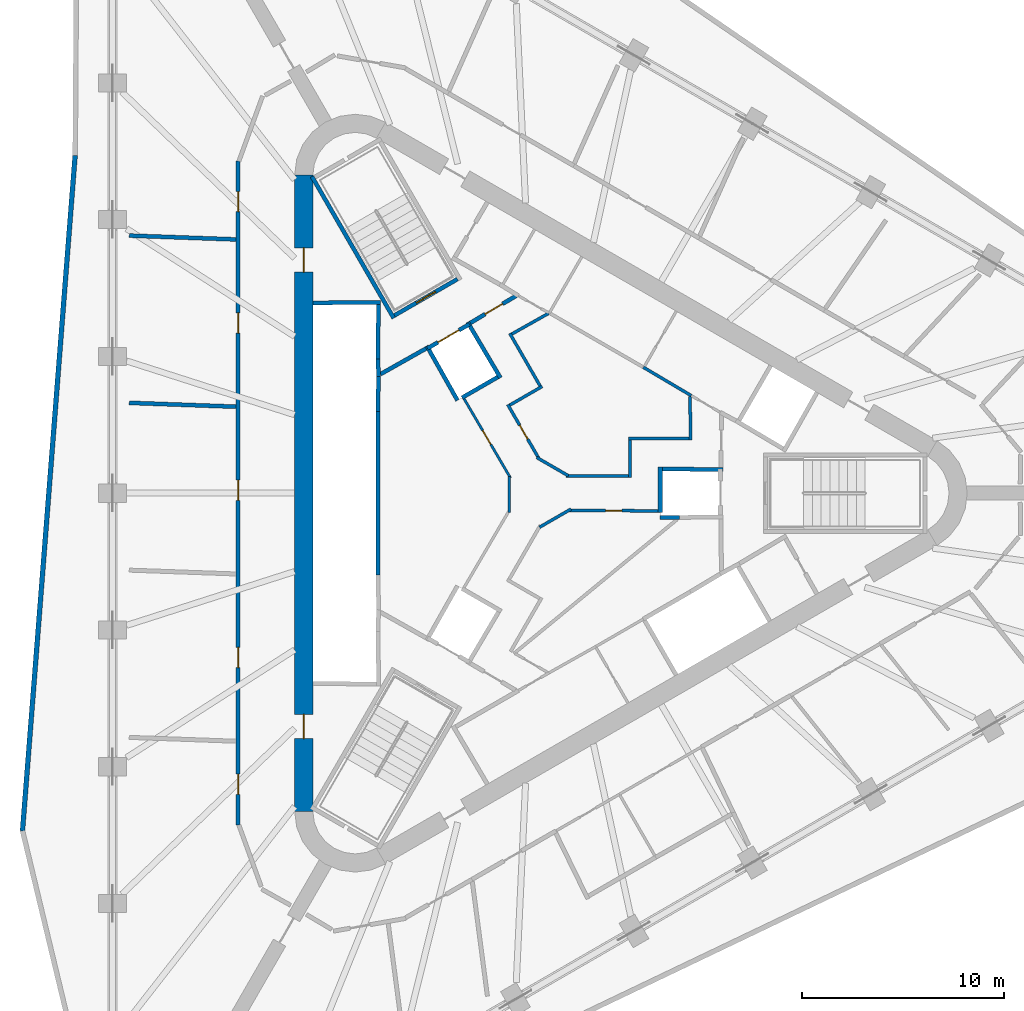
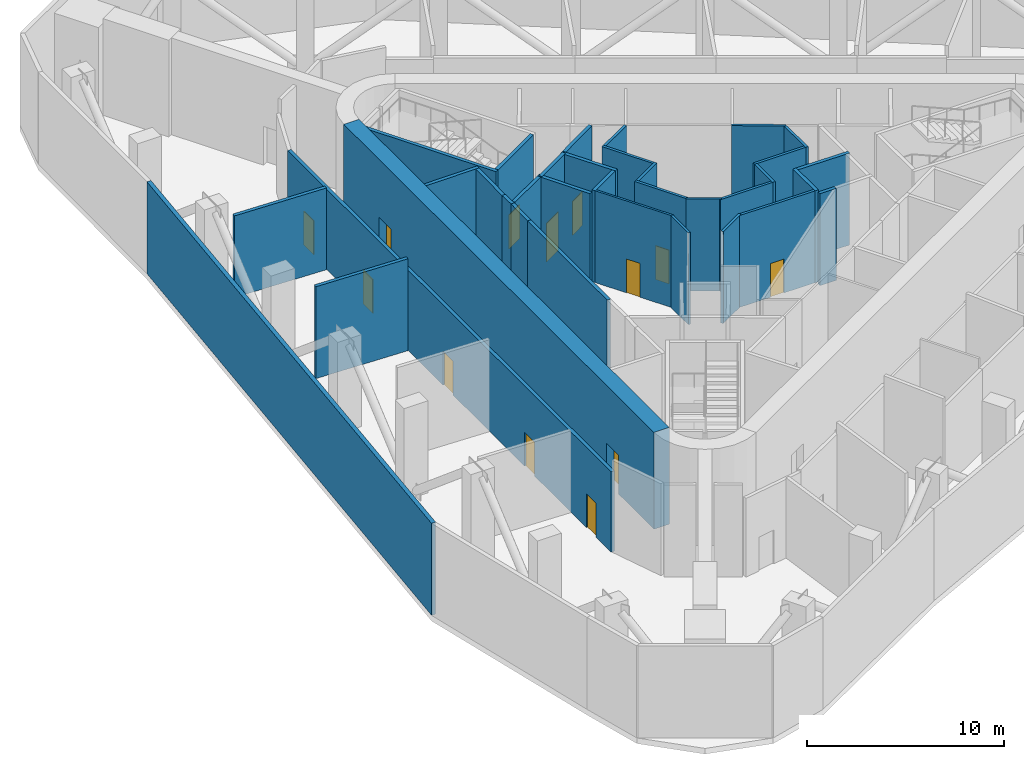
# One storey, part 5 of 12: 35 walls, 13 doors, 13 openings.
"""IFC4 building model written with IfcOpenShell, lengths in metres."""

from ifc_helpers import new_model, si_unit, direction, frame, frame_2d, origin, place, context, subcontext, project, spatial, rectangle, extrude, material, layer, layer_set, type_object, element, fill, save


model = new_model("IFC4")

# Units and contexts
model_context = context("Model", 3, precision=1e-05, world=origin(), true_north=direction((0.0, 1.0)))
body_context = subcontext(model_context, "Body", "Model", "MODEL_VIEW")
ifc_project = project(units=[si_unit("LENGTHUNIT", "METRE"), si_unit("AREAUNIT", "SQUARE_METRE"), si_unit("VOLUMEUNIT", "CUBIC_METRE"), si_unit("PLANEANGLEUNIT", "RADIAN"), si_unit("MASSUNIT", "GRAM", prefix="KILO")], contexts=[model_context])

# Site, building, storey
site_placement = place(None, origin())
site = spatial("IfcSite", under=ifc_project, at=site_placement, CompositionType="ELEMENT")
building_placement = place(site_placement, origin())
building = spatial("IfcBuilding", under=site, at=building_placement, Name="Tanit Gate Tower", CompositionType="ELEMENT")
storey_placement = place(building_placement, frame((0.0, 0.0, 292.699951171875)))
storey = spatial("IfcBuildingStorey", under=building, at=storey_placement, Name="L65", CompositionType="ELEMENT", Elevation=292.699951171875)

# Wall, openings, doors
ifc_material_1 = material(Name="Concrete C50/60", Category="concrete")
ifc_layer_1 = layer(ifc_material_1, 0.89990234375)
ifc_layer_set_1 = layer_set([ifc_layer_1], Name="CORE WALL 900 C50/60")
wall_type_1 = type_object("IfcWallType", Name="CORE WALL 900 C50/60", PredefinedType="SHEAR", material=ifc_layer_set_1)
wall_1_placement = place(storey_placement, frame((-11.64990234375, 15.76171875, 0.0), z_axis=(0.0, 0.0, 1.0), x_axis=(0.0, -1.0, 0.0)))
wall_1 = element("IfcWall", 1, at=wall_1_placement, inside=storey, type_object=wall_type_1, Name="CORE WALL", PredefinedType="SHEAR", context=body_context, shape_type="SweptSolid", body=[
    extrude(rectangle(XDim=31.5234375, YDim=0.89990234375, at=frame_2d((15.76171875, 0.0))), origin(), (0.0, 0.0, 1.0), 6.0),
])
opening_1_placement = place(wall_1_placement, frame((3.61181640625, 0.0, 0.0)))
opening_1 = element("IfcOpeningElement", 2, at=opening_1_placement, cuts=wall_1, Name="Opening F12-65-FL2", PredefinedType="OPENING", context=body_context, shape_type="SweptSolid", body=[
    extrude(rectangle(XDim=1.199951171875, YDim=2.39990234375, at=frame_2d((0.60009765625, 1.199951171875))), frame((0.0, 0.4599609375, 0.0), z_axis=(0.0, -1.0, 0.0), x_axis=(1.0, 0.0, 0.0)), (0.0, 0.0, 1.0), 0.919921875),
])
opening_2_placement = place(wall_1_placement, frame((26.711669921875, 0.0, 0.0)))
opening_2 = element("IfcOpeningElement", 3, at=opening_2_placement, cuts=wall_1, Name="Opening F12-65-S3", PredefinedType="OPENING", context=body_context, shape_type="SweptSolid", body=[
    extrude(rectangle(XDim=1.199951171875, YDim=2.39990234375, at=frame_2d((0.60009765625, 1.199951171875))), frame((0.0, 0.4599609375, 0.0), z_axis=(0.0, -1.0, 0.0), x_axis=(1.0, 0.0, 0.0)), (0.0, 0.0, 1.0), 0.919921875),
])
ifc_material_2 = material(Name="Fire-rated steel door leaf", Category="steel")
door_type_1 = type_object("IfcDoorType", Name="INT-DOOR-FIRE-LOBBY-1200", OperationType="NOTDEFINED", PredefinedType="USERDEFINED", material=ifc_material_2)
door_1_placement = place(opening_1_placement, origin())
door_1 = element("IfcDoor", 4, at=door_1_placement, inside=storey, type_object=door_type_1, Name="Door F12-65-FL2", ObjectType="FIRE DOOR", OperationType="SINGLE_SWING_LEFT", OverallHeight=2.39990234375, OverallWidth=1.199951171875, PredefinedType="USERDEFINED", context=body_context, shape_type="SweptSolid", body=[
    extrude(rectangle(XDim=1.199951171875, YDim=2.39990234375, at=frame_2d((0.60009765625, 1.199951171875))), frame((0.0, 0.02490234375, 0.0), z_axis=(0.0, -1.0, 0.0), x_axis=(1.0, 0.0, 0.0)), (0.0, 0.0, 1.0), 0.050048828125),
])
fill(opening_1, door_1)
door_2_placement = place(opening_2_placement, origin())
door_2 = element("IfcDoor", 5, at=door_2_placement, inside=storey, type_object=door_type_1, Name="Door F12-65-S3", ObjectType="FIRE DOOR", OperationType="SINGLE_SWING_LEFT", OverallHeight=2.39990234375, OverallWidth=1.199951171875, PredefinedType="USERDEFINED", context=body_context, shape_type="SweptSolid", body=[
    extrude(rectangle(XDim=1.199951171875, YDim=2.39990234375, at=frame_2d((0.60009765625, 1.199951171875))), frame((0.0, 0.02490234375, 0.0), z_axis=(0.0, -1.0, 0.0), x_axis=(1.0, 0.0, 0.0)), (0.0, 0.0, 1.0), 0.050048828125),
])
fill(opening_2, door_2)

# Walls
ifc_material_3 = material(Name="Concrete C30/37 with bronze anodised aluminium cladding", Category="concrete")
ifc_layer_2 = layer(ifc_material_3, 0.239990234375)
ifc_layer_set_2 = layer_set([ifc_layer_2], Name="Facade wall bronze clad 240")
wall_type_2 = type_object("IfcWallType", Name="Facade wall bronze clad 240", PredefinedType="SOLIDWALL", material=ifc_layer_set_2)
wall_2_placement = place(storey_placement, frame((-22.97265625, 16.725341796875, 0.0), z_axis=(0.0, 0.0, 1.0), x_axis=(-0.077694287459, -0.99697723028, 0.0)))
element("IfcWall", 6, at=wall_2_placement, inside=storey, type_object=wall_type_2, Name="Bronze-clad facade wall L65 W2", PredefinedType="SOLIDWALL", context=body_context, shape_type="SweptSolid", body=[
    extrude(rectangle(XDim=33.54736328125, YDim=0.239990234375, at=frame_2d((16.773681640625, 0.0))), origin(), (0.0, 0.0, 1.0), 5.699951171875),
])
ifc_material_4 = material(Name="Fire-rated gypsum board partition")
ifc_layer_3 = layer(ifc_material_4, 0.199951171875)
ifc_layer_set_3 = layer_set([ifc_layer_3], Name="INT-WALL-COMPARTMENT")
wall_type_3 = type_object("IfcWallType", Name="INT-WALL-COMPARTMENT", PredefinedType="PARTITIONING", material=ifc_layer_set_3)
wall_3_placement = place(storey_placement, frame((-5.600341796875, 7.16015625, 0.0), z_axis=(0.0, 0.0, 1.0), x_axis=(-0.871340486379, -0.490678873396, 0.0)))
element("IfcWall", 7, at=wall_3_placement, inside=storey, type_object=wall_type_3, Name="Wall Compartment W069", PredefinedType="PARTITIONING", context=body_context, shape_type="SweptSolid", body=[
    extrude(rectangle(XDim=2.580810546875, YDim=0.199951171875, at=frame_2d((1.29052734375, 0.0))), origin(), (0.0, 0.0, 1.0), 5.699951171875),
])

# Wall, opening, door
wall_4_placement = place(storey_placement, frame((-1.070068359375, 9.809326171875, 0.0), z_axis=(0.0, 0.0, 1.0), x_axis=(-0.860603293832, -0.509275927808, 0.0)))
wall_4 = element("IfcWall", 8, at=wall_4_placement, inside=storey, type_object=wall_type_3, Name="Wall Compartment W070", PredefinedType="PARTITIONING", context=body_context, shape_type="SweptSolid", body=[
    extrude(rectangle(XDim=2.7080078125, YDim=0.199951171875, at=frame_2d((1.35400390625, 0.0))), origin(), (0.0, 0.0, 1.0), 5.699951171875),
])
opening_3_placement = place(wall_4_placement, frame((0.859619140625, 0.0, 0.0)))
opening_3 = element("IfcOpeningElement", 9, at=opening_3_placement, cuts=wall_4, Name="Opening F10-65-05", PredefinedType="OPENING", context=body_context, shape_type="SweptSolid", body=[
    extrude(rectangle(XDim=1.0, YDim=2.10009765625, at=frame_2d((0.5, 1.050048828125))), frame((0.0, 0.10986328125, 0.0), z_axis=(0.0, -1.0, 0.0), x_axis=(1.0, 0.0, 0.0)), (0.0, 0.0, 1.0), 0.219970703125),
])
ifc_material_5 = material(Name="Fire-rated steel door leaf", Category="steel")
door_type_2 = type_object("IfcDoorType", Name="INT-DOOR-FIRE-1000", OperationType="NOTDEFINED", PredefinedType="USERDEFINED", material=ifc_material_5)
door_3_placement = place(opening_3_placement, origin())
door_3 = element("IfcDoor", 10, at=door_3_placement, inside=storey, type_object=door_type_2, Name="Door F10-65-05", ObjectType="FIRE DOOR", OperationType="SINGLE_SWING_LEFT", OverallHeight=2.10009765625, OverallWidth=1.0, PredefinedType="USERDEFINED", context=body_context, shape_type="SweptSolid", body=[
    extrude(rectangle(XDim=1.0, YDim=2.10009765625, at=frame_2d((0.5, 1.050048828125))), frame((0.0, 0.02490234375, 0.0), z_axis=(0.0, -1.0, 0.0), x_axis=(1.0, 0.0, 0.0)), (0.0, 0.0, 1.0), 0.050048828125),
])
fill(opening_3, door_3)

# Wall, openings, doors
wall_5_placement = place(storey_placement, frame((-14.89990234375, 16.434814453125, 0.0), z_axis=(0.0, 0.0, 1.0), x_axis=(0.0, -1.0, 0.0)))
wall_5 = element("IfcWall", 11, at=wall_5_placement, inside=storey, type_object=wall_type_3, Name="Wall Compartment W092", PredefinedType="PARTITIONING", context=body_context, shape_type="SweptSolid", body=[
    extrude(rectangle(XDim=32.86962890625, YDim=0.199951171875, at=frame_2d((16.434814453125, 0.0))), origin(), (0.0, 0.0, 1.0), 4.97998046875),
])
opening_4_placement = place(wall_5_placement, frame((1.5, 0.0, 0.0)))
opening_4 = element("IfcOpeningElement", 12, at=opening_4_placement, cuts=wall_5, Name="Opening F10-65-21", PredefinedType="OPENING", context=body_context, shape_type="SweptSolid", body=[
    extrude(rectangle(XDim=1.0, YDim=2.10009765625, at=frame_2d((0.5, 1.050048828125))), frame((0.0, 0.10986328125, 0.0), z_axis=(0.0, -1.0, 0.0), x_axis=(1.0, 0.0, 0.0)), (0.0, 0.0, 1.0), 0.219970703125),
])
opening_5_placement = place(wall_5_placement, frame((7.505615234375, 0.0, 0.0)))
opening_5 = element("IfcOpeningElement", 13, at=opening_5_placement, cuts=wall_5, Name="Opening F10-65-22", PredefinedType="OPENING", context=body_context, shape_type="SweptSolid", body=[
    extrude(rectangle(XDim=1.0, YDim=2.10009765625, at=frame_2d((0.5, 1.050048828125))), frame((0.0, 0.10986328125, 0.0), z_axis=(0.0, -1.0, 0.0), x_axis=(1.0, 0.0, 0.0)), (0.0, 0.0, 1.0), 0.219970703125),
])
opening_6_placement = place(wall_5_placement, frame((15.786865234375, 0.0, 0.0)))
opening_6 = element("IfcOpeningElement", 14, at=opening_6_placement, cuts=wall_5, Name="Opening F10-65-23", PredefinedType="OPENING", context=body_context, shape_type="SweptSolid", body=[
    extrude(rectangle(XDim=1.0, YDim=2.10009765625, at=frame_2d((0.5, 1.050048828125))), frame((0.0, 0.10986328125, 0.0), z_axis=(0.0, -1.0, 0.0), x_axis=(1.0, 0.0, 0.0)), (0.0, 0.0, 1.0), 0.219970703125),
])
opening_7_placement = place(wall_5_placement, frame((24.068115234375, 0.0, 0.0)))
opening_7 = element("IfcOpeningElement", 15, at=opening_7_placement, cuts=wall_5, Name="Opening F10-65-24", PredefinedType="OPENING", context=body_context, shape_type="SweptSolid", body=[
    extrude(rectangle(XDim=1.0, YDim=2.10009765625, at=frame_2d((0.5, 1.050048828125))), frame((0.0, 0.10986328125, 0.0), z_axis=(0.0, -1.0, 0.0), x_axis=(1.0, 0.0, 0.0)), (0.0, 0.0, 1.0), 0.219970703125),
])
opening_8_placement = place(wall_5_placement, frame((30.349609375, 0.0, 0.0)))
opening_8 = element("IfcOpeningElement", 16, at=opening_8_placement, cuts=wall_5, Name="Opening F10-65-25", PredefinedType="OPENING", context=body_context, shape_type="SweptSolid", body=[
    extrude(rectangle(XDim=1.0, YDim=2.10009765625, at=frame_2d((0.5, 1.050048828125))), frame((0.0, 0.10986328125, 0.0), z_axis=(0.0, -1.0, 0.0), x_axis=(1.0, 0.0, 0.0)), (0.0, 0.0, 1.0), 0.219970703125),
])
door_4_placement = place(opening_4_placement, origin())
door_4 = element("IfcDoor", 17, at=door_4_placement, inside=storey, type_object=door_type_2, Name="Door F10-65-21", ObjectType="FIRE DOOR", OperationType="SINGLE_SWING_LEFT", OverallHeight=2.10009765625, OverallWidth=1.0, PredefinedType="USERDEFINED", context=body_context, shape_type="SweptSolid", body=[
    extrude(rectangle(XDim=1.0, YDim=2.10009765625, at=frame_2d((0.5, 1.050048828125))), frame((0.0, 0.02490234375, 0.0), z_axis=(0.0, -1.0, 0.0), x_axis=(1.0, 0.0, 0.0)), (0.0, 0.0, 1.0), 0.050048828125),
])
fill(opening_4, door_4)
door_5_placement = place(opening_5_placement, origin())
door_5 = element("IfcDoor", 18, at=door_5_placement, inside=storey, type_object=door_type_2, Name="Door F10-65-22", ObjectType="FIRE DOOR", OperationType="SINGLE_SWING_LEFT", OverallHeight=2.10009765625, OverallWidth=1.0, PredefinedType="USERDEFINED", context=body_context, shape_type="SweptSolid", body=[
    extrude(rectangle(XDim=1.0, YDim=2.10009765625, at=frame_2d((0.5, 1.050048828125))), frame((0.0, 0.02490234375, 0.0), z_axis=(0.0, -1.0, 0.0), x_axis=(1.0, 0.0, 0.0)), (0.0, 0.0, 1.0), 0.050048828125),
])
fill(opening_5, door_5)
door_6_placement = place(opening_6_placement, origin())
door_6 = element("IfcDoor", 19, at=door_6_placement, inside=storey, type_object=door_type_2, Name="Door F10-65-23", ObjectType="FIRE DOOR", OperationType="SINGLE_SWING_RIGHT", OverallHeight=2.10009765625, OverallWidth=1.0, PredefinedType="USERDEFINED", context=body_context, shape_type="SweptSolid", body=[
    extrude(rectangle(XDim=1.0, YDim=2.10009765625, at=frame_2d((0.5, 1.050048828125))), frame((0.0, 0.02490234375, 0.0), z_axis=(0.0, -1.0, 0.0), x_axis=(1.0, 0.0, 0.0)), (0.0, 0.0, 1.0), 0.050048828125),
])
fill(opening_6, door_6)
door_7_placement = place(opening_7_placement, origin())
door_7 = element("IfcDoor", 20, at=door_7_placement, inside=storey, type_object=door_type_2, Name="Door F10-65-24", ObjectType="FIRE DOOR", OperationType="SINGLE_SWING_RIGHT", OverallHeight=2.10009765625, OverallWidth=1.0, PredefinedType="USERDEFINED", context=body_context, shape_type="SweptSolid", body=[
    extrude(rectangle(XDim=1.0, YDim=2.10009765625, at=frame_2d((0.5, 1.050048828125))), frame((0.0, 0.02490234375, 0.0), z_axis=(0.0, -1.0, 0.0), x_axis=(1.0, 0.0, 0.0)), (0.0, 0.0, 1.0), 0.050048828125),
])
fill(opening_7, door_7)
door_8_placement = place(opening_8_placement, origin())
door_8 = element("IfcDoor", 21, at=door_8_placement, inside=storey, type_object=door_type_2, Name="Door F10-65-25", ObjectType="FIRE DOOR", OperationType="SINGLE_SWING_LEFT", OverallHeight=2.10009765625, OverallWidth=1.0, PredefinedType="USERDEFINED", context=body_context, shape_type="SweptSolid", body=[
    extrude(rectangle(XDim=1.0, YDim=2.10009765625, at=frame_2d((0.5, 1.050048828125))), frame((0.0, 0.02490234375, 0.0), z_axis=(0.0, -1.0, 0.0), x_axis=(1.0, 0.0, 0.0)), (0.0, 0.0, 1.0), 0.050048828125),
])
fill(opening_8, door_8)

# Walls
wall_6_placement = place(storey_placement, frame((-20.29150390625, 12.752197265625, 0.0), z_axis=(0.0, 0.0, 1.0), x_axis=(0.999353066749, -0.03596453779, 0.0)))
element("IfcWall", 22, at=wall_6_placement, inside=storey, type_object=wall_type_3, Name="Wall Compartment W101", PredefinedType="PARTITIONING", context=body_context, shape_type="SweptSolid", body=[
    extrude(rectangle(XDim=5.294921875, YDim=0.199951171875, at=frame_2d((2.6474609375, 0.0))), origin(), (0.0, 0.0, 1.0), 5.070068359375),
])
wall_7_placement = place(storey_placement, frame((-20.29150390625, 4.470947265625, 0.0), z_axis=(0.0, 0.0, 1.0), x_axis=(0.999353066749, -0.03596453779, 0.0)))
element("IfcWall", 23, at=wall_7_placement, inside=storey, type_object=wall_type_3, Name="Wall Compartment W102", PredefinedType="PARTITIONING", context=body_context, shape_type="SweptSolid", body=[
    extrude(rectangle(XDim=5.294921875, YDim=0.199951171875, at=frame_2d((2.6474609375, 0.0))), origin(), (0.0, 0.0, 1.0), 5.699951171875),
])

# Wall, opening, door
ifc_material_6 = material(Name="Gypsum board partition")
ifc_layer_4 = layer(ifc_material_6, 0.1201171875)
ifc_layer_set_4 = layer_set([ifc_layer_4], Name="INT-WALL-PARTITION")
wall_type_4 = type_object("IfcWallType", Name="INT-WALL-PARTITION", PredefinedType="PARTITIONING", material=ifc_layer_set_4)
wall_8_placement = place(storey_placement, frame((-1.42041015625, 0.76171875, 0.0), z_axis=(0.0, 0.0, 1.0), x_axis=(-0.505655878767, 0.862735261983, 0.0)))
wall_8 = element("IfcWall", 24, at=wall_8_placement, inside=storey, type_object=wall_type_4, Name="Wall Partition W073", PredefinedType="PARTITIONING", context=body_context, shape_type="SweptSolid", body=[
    extrude(rectangle(XDim=4.5302734375, YDim=0.1201171875, at=frame_2d((2.26513671875, 0.0))), origin(), (0.0, 0.0, 1.0), 5.699951171875),
])
opening_9_placement = place(wall_8_placement, frame((1.916259765625, 0.0, 0.0)))
opening_9 = element("IfcOpeningElement", 25, at=opening_9_placement, cuts=wall_8, Name="Opening R08-65-10", PredefinedType="OPENING", context=body_context, shape_type="SweptSolid", body=[
    extrude(rectangle(XDim=0.800048828125, YDim=2.10009765625, at=frame_2d((0.39990234375, 1.050048828125))), frame((0.0, 0.070068359375, 0.0), z_axis=(0.0, -1.0, 0.0), x_axis=(1.0, 0.0, 0.0)), (0.0, 0.0, 1.0), 0.14013671875),
])
ifc_material_7 = material(Name="Timber door leaf", Category="wood")
door_type_3 = type_object("IfcDoorType", Name="INT-DOOR-RISER-800", OperationType="NOTDEFINED", PredefinedType="USERDEFINED", material=ifc_material_7)
door_9_placement = place(opening_9_placement, origin())
door_9 = element("IfcDoor", 26, at=door_9_placement, inside=storey, type_object=door_type_3, Name="Door R08-65-10", ObjectType="FIRE DOOR", OperationType="SINGLE_SWING_LEFT", OverallHeight=2.10009765625, OverallWidth=0.800048828125, PredefinedType="USERDEFINED", context=body_context, shape_type="SweptSolid", body=[
    extrude(rectangle(XDim=0.800048828125, YDim=2.10009765625, at=frame_2d((0.39990234375, 1.050048828125))), frame((0.0, 0.02490234375, 0.0), z_axis=(0.0, -1.0, 0.0), x_axis=(1.0, 0.0, 0.0)), (0.0, 0.0, 1.0), 0.050048828125),
])
fill(opening_9, door_9)

# Walls
wall_9_placement = place(storey_placement, frame((-1.47216796875, -0.952392578125, 0.0), z_axis=(0.0, 0.0, 1.0), x_axis=(0.0, 1.0, 0.0)))
element("IfcWall", 27, at=wall_9_placement, inside=storey, type_object=wall_type_4, Name="Wall Partition W074", PredefinedType="PARTITIONING", context=body_context, shape_type="SweptSolid", body=[
    extrude(rectangle(XDim=1.783447265625, YDim=0.1201171875, at=frame_2d((0.8916015625, 0.0))), origin(), (0.0, 0.0, 1.0), 5.699951171875),
])
ifc_material_8 = material(Name="Fire-rated gypsum board partition")
ifc_layer_5 = layer(ifc_material_8, 0.14990234375)
ifc_layer_set_5 = layer_set([ifc_layer_5], Name="INT-WALL-RISER")
wall_type_5 = type_object("IfcWallType", Name="INT-WALL-RISER", PredefinedType="PLUMBINGWALL", material=ifc_layer_set_5)
wall_10_placement = place(storey_placement, frame((7.530029296875, 4.83251953125, 0.0), z_axis=(0.0, 0.0, 1.0), x_axis=(-0.860550523279, 0.509365091938, 0.0)))
element("IfcWall", 28, at=wall_10_placement, inside=storey, type_object=wall_type_5, Name="Wall Riser W050", PredefinedType="PLUMBINGWALL", context=body_context, shape_type="SweptSolid", body=[
    extrude(rectangle(XDim=2.755126953125, YDim=0.14990234375, at=frame_2d((1.37744140625, 0.0))), origin(), (0.0, 0.0, 1.0), 5.699951171875),
])
wall_11_placement = place(storey_placement, frame((1.5830078125, -0.7861328125, 0.0), z_axis=(0.0, 0.0, 1.0), x_axis=(-0.866036909293, -0.499980071345, 0.0)))
element("IfcWall", 29, at=wall_11_placement, inside=storey, type_object=wall_type_5, Name="Wall Riser W080", PredefinedType="PLUMBINGWALL", context=body_context, shape_type="SweptSolid", body=[
    extrude(rectangle(XDim=1.8046875, YDim=0.14990234375, at=frame_2d((0.90234375, 0.0))), origin(), (0.0, 0.0, 1.0), 5.699951171875),
])

# Wall, opening, door
wall_12_placement = place(storey_placement, frame((5.89990234375, -0.87890625, 0.0), z_axis=(0.0, 0.0, 1.0), x_axis=(-0.999978605844, 0.006541242613, 0.0)))
wall_12 = element("IfcWall", 30, at=wall_12_placement, inside=storey, type_object=wall_type_5, Name="Wall Riser W081", PredefinedType="PLUMBINGWALL", context=body_context, shape_type="SweptSolid", body=[
    extrude(rectangle(XDim=4.404052734375, YDim=0.14990234375, at=frame_2d((2.2021484375, 0.0))), origin(), (0.0, 0.0, 1.0), 5.699951171875),
])
opening_10_placement = place(wall_12_placement, frame((1.802001953125, 0.0, 0.0)))
opening_10 = element("IfcOpeningElement", 31, at=opening_10_placement, cuts=wall_12, Name="Opening R08-65-11", PredefinedType="OPENING", context=body_context, shape_type="SweptSolid", body=[
    extrude(rectangle(XDim=0.800048828125, YDim=2.10009765625, at=frame_2d((0.39990234375, 1.050048828125))), frame((0.0, 0.0849609375, 0.0), z_axis=(0.0, -1.0, 0.0), x_axis=(1.0, 0.0, 0.0)), (0.0, 0.0, 1.0), 0.169921875),
])
door_10_placement = place(opening_10_placement, origin())
door_10 = element("IfcDoor", 32, at=door_10_placement, inside=storey, type_object=door_type_3, Name="Door R08-65-11", ObjectType="FIRE DOOR", OperationType="SINGLE_SWING_LEFT", OverallHeight=2.10009765625, OverallWidth=0.800048828125, PredefinedType="USERDEFINED", context=body_context, shape_type="SweptSolid", body=[
    extrude(rectangle(XDim=0.800048828125, YDim=2.10009765625, at=frame_2d((0.39990234375, 1.050048828125))), frame((0.0, 0.02490234375, 0.0), z_axis=(0.0, -1.0, 0.0), x_axis=(1.0, 0.0, 0.0)), (0.0, 0.0, 1.0), 0.050048828125),
])
fill(opening_10, door_10)

# Walls
wall_13_placement = place(storey_placement, frame((7.5009765625, 2.625, 0.0), z_axis=(0.0, 0.0, 1.0), x_axis=(-0.011799927307, 0.999930378434, 0.0)))
element("IfcWall", 33, at=wall_13_placement, inside=storey, type_object=wall_type_5, Name="Wall Riser W083", PredefinedType="PLUMBINGWALL", context=body_context, shape_type="SweptSolid", body=[
    extrude(rectangle(XDim=2.15185546875, YDim=0.14990234375, at=frame_2d((1.075927734375, 0.0))), origin(), (0.0, 0.0, 1.0), 5.699951171875),
])
wall_14_placement = place(storey_placement, frame((4.425048828125, 2.699951171875, 0.0), z_axis=(0.0, 0.0, 1.0), x_axis=(1.0, 0.0, 0.0)))
element("IfcWall", 34, at=wall_14_placement, inside=storey, type_object=wall_type_5, Name="Wall Riser W084", PredefinedType="PLUMBINGWALL", context=body_context, shape_type="SweptSolid", body=[
    extrude(rectangle(XDim=3.0, YDim=0.14990234375, at=frame_2d((1.5, 0.0))), origin(), (0.0, 0.0, 1.0), 5.699951171875),
])
wall_15_placement = place(storey_placement, frame((4.5, 0.77490234375, 0.0), z_axis=(0.0, 0.0, 1.0), x_axis=(0.0, 1.0, 0.0)))
element("IfcWall", 35, at=wall_15_placement, inside=storey, type_object=wall_type_5, Name="Wall Riser W085", PredefinedType="PLUMBINGWALL", context=body_context, shape_type="SweptSolid", body=[
    extrude(rectangle(XDim=1.85009765625, YDim=0.14990234375, at=frame_2d((0.925048828125, 0.0))), origin(), (0.0, 0.0, 1.0), 5.699951171875),
])
wall_16_placement = place(storey_placement, frame((1.34228515625, 0.85009765625, 0.0), z_axis=(0.0, 0.0, 1.0), x_axis=(1.0, 0.0, 0.0)))
element("IfcWall", 36, at=wall_16_placement, inside=storey, type_object=wall_type_5, Name="Wall Riser W086", PredefinedType="PLUMBINGWALL", context=body_context, shape_type="SweptSolid", body=[
    extrude(rectangle(XDim=3.082763671875, YDim=0.14990234375, at=frame_2d((1.54150390625, 0.0))), origin(), (0.0, 0.0, 1.0), 5.699951171875),
])
wall_17_placement = place(storey_placement, frame((-0.112548828125, 1.764892578125, 0.0), z_axis=(0.0, 0.0, 1.0), x_axis=(0.866039322102, -0.499975891992, 0.0)))
element("IfcWall", 37, at=wall_17_placement, inside=storey, type_object=wall_type_5, Name="Wall Riser W087", PredefinedType="PLUMBINGWALL", context=body_context, shape_type="SweptSolid", body=[
    extrude(rectangle(XDim=1.806640625, YDim=0.14990234375, at=frame_2d((0.9033203125, 0.0))), origin(), (0.0, 0.0, 1.0), 5.699951171875),
])

# Wall, opening, door
wall_18_placement = place(storey_placement, frame((-1.55126953125, 4.386962890625, 0.0), z_axis=(0.0, 0.0, 1.0), x_axis=(0.499976393034, -0.866039032844, 0.0)))
wall_18 = element("IfcWall", 38, at=wall_18_placement, inside=storey, type_object=wall_type_5, Name="Wall Riser W088", PredefinedType="PLUMBINGWALL", context=body_context, shape_type="SweptSolid", body=[
    extrude(rectangle(XDim=3.079345703125, YDim=0.14990234375, at=frame_2d((1.53955078125, 0.0))), origin(), (0.0, 0.0, 1.0), 5.699951171875),
])
opening_11_placement = place(wall_18_placement, frame((1.17724609375, 0.0, 0.0)))
opening_11 = element("IfcOpeningElement", 39, at=opening_11_placement, cuts=wall_18, Name="Opening R08-65-13", PredefinedType="OPENING", context=body_context, shape_type="SweptSolid", body=[
    extrude(rectangle(XDim=0.800048828125, YDim=2.10009765625, at=frame_2d((0.39990234375, 1.050048828125))), frame((0.0, 0.0849609375, 0.0), z_axis=(0.0, -1.0, 0.0), x_axis=(1.0, 0.0, 0.0)), (0.0, 0.0, 1.0), 0.169921875),
])
door_11_placement = place(opening_11_placement, origin())
door_11 = element("IfcDoor", 40, at=door_11_placement, inside=storey, type_object=door_type_3, Name="Door R08-65-13", ObjectType="FIRE DOOR", OperationType="SINGLE_SWING_LEFT", OverallHeight=2.10009765625, OverallWidth=0.800048828125, PredefinedType="USERDEFINED", context=body_context, shape_type="SweptSolid", body=[
    extrude(rectangle(XDim=0.800048828125, YDim=2.10009765625, at=frame_2d((0.39990234375, 1.050048828125))), frame((0.0, 0.02490234375, 0.0), z_axis=(0.0, -1.0, 0.0), x_axis=(1.0, 0.0, 0.0)), (0.0, 0.0, 1.0), 0.050048828125),
])
fill(opening_11, door_11)

# Walls
wall_19_placement = place(storey_placement, frame((0.1533203125, 5.28466796875, 0.0), z_axis=(0.0, 0.0, 1.0), x_axis=(-0.866033964044, -0.499985172903, 0.0)))
element("IfcWall", 41, at=wall_19_placement, inside=storey, type_object=wall_type_5, Name="Wall Riser W089", PredefinedType="PLUMBINGWALL", context=body_context, shape_type="SweptSolid", body=[
    extrude(rectangle(XDim=1.85009765625, YDim=0.14990234375, at=frame_2d((0.925048828125, 0.0))), origin(), (0.0, 0.0, 1.0), 5.699951171875),
])
wall_20_placement = place(storey_placement, frame((-1.44921875, 7.91015625, 0.0), z_axis=(0.0, 0.0, 1.0), x_axis=(0.499990139034, -0.866031096941, 0.0)))
element("IfcWall", 42, at=wall_20_placement, inside=storey, type_object=wall_type_5, Name="Wall Riser W090", PredefinedType="PLUMBINGWALL", context=body_context, shape_type="SweptSolid", body=[
    extrude(rectangle(XDim=3.0, YDim=0.14990234375, at=frame_2d((1.5, 0.0))), origin(), (0.0, 0.0, 1.0), 5.699951171875),
])
wall_21_placement = place(storey_placement, frame((0.475341796875, 8.9052734375, 0.0), z_axis=(0.0, 0.0, 1.0), x_axis=(-0.871843752163, -0.489784107353, 0.0)))
element("IfcWall", 43, at=wall_21_placement, inside=storey, type_object=wall_type_5, Name="Wall Riser W091", PredefinedType="PLUMBINGWALL", context=body_context, shape_type="SweptSolid", body=[
    extrude(rectangle(XDim=2.089599609375, YDim=0.14990234375, at=frame_2d((1.044921875, 0.0))), origin(), (0.0, 0.0, 1.0), 5.699951171875),
])
ifc_material_9 = material(Name="Gypsum shaft wall system")
ifc_layer_6 = layer(ifc_material_9, 0.199951171875)
ifc_layer_set_6 = layer_set([ifc_layer_6], Name="INT-WALL-SHAFT")
wall_type_6 = type_object("IfcWallType", Name="INT-WALL-SHAFT", PredefinedType="PLUMBINGWALL", material=ifc_layer_set_6)
wall_22_placement = place(storey_placement, frame((-11.199951171875, 9.419921875, 0.0), z_axis=(0.0, 0.0, 1.0), x_axis=(0.999957167047, 0.009255488683, 0.0)))
element("IfcWall", 44, at=wall_22_placement, inside=storey, type_object=wall_type_6, Name="Wall Shaft W001", PredefinedType="PLUMBINGWALL", context=body_context, shape_type="SweptSolid", body=[
    extrude(rectangle(XDim=3.35009765625, YDim=0.199951171875, at=frame_2d((1.675048828125, 0.0))), origin(), (0.0, 0.0, 1.0), 5.699951171875),
])
wall_23_placement = place(storey_placement, frame((-7.951171875, 9.35009765625, 0.0), z_axis=(0.0, 0.0, 1.0), x_axis=(-0.011120469654, -0.999938165666, 0.0)))
element("IfcWall", 45, at=wall_23_placement, inside=storey, type_object=wall_type_6, Name="Wall Shaft W002", PredefinedType="PLUMBINGWALL", context=body_context, shape_type="SweptSolid", body=[
    extrude(rectangle(XDim=2.700439453125, YDim=0.199951171875, at=frame_2d((1.35009765625, 0.0))), origin(), (0.0, 0.0, 1.0), 5.699951171875),
])
wall_24_placement = place(storey_placement, frame((-7.97705078125, 6.650146484375, 0.0), z_axis=(0.0, 0.0, 1.0), x_axis=(0.030861509705, -0.999523670164, 0.0)))
element("IfcWall", 46, at=wall_24_placement, inside=storey, type_object=wall_type_6, Name="Wall Shaft W003", PredefinedType="PLUMBINGWALL", context=body_context, shape_type="SweptSolid", body=[
    extrude(rectangle(XDim=0.878173828125, YDim=0.199951171875, at=frame_2d((0.43896484375, 0.0))), origin(), (0.0, 0.0, 1.0), 5.699951171875),
])
wall_25_placement = place(storey_placement, frame((-7.948974609375, 5.894287109375, 0.0), z_axis=(0.0, 0.0, 1.0), x_axis=(-0.016809909365, -0.999858703491, 0.0)))
element("IfcWall", 47, at=wall_25_placement, inside=storey, type_object=wall_type_6, Name="Wall Shaft W004", PredefinedType="PLUMBINGWALL", context=body_context, shape_type="SweptSolid", body=[
    extrude(rectangle(XDim=1.844482421875, YDim=0.199951171875, at=frame_2d((0.92236328125, 0.0))), origin(), (0.0, 0.0, 1.0), 5.699951171875),
])
wall_26_placement = place(storey_placement, frame((-7.97998046875, 4.050048828125, 0.0), z_axis=(0.0, 0.0, 1.0), x_axis=(0.0, -1.0, 0.0)))
element("IfcWall", 48, at=wall_26_placement, inside=storey, type_object=wall_type_6, Name="Wall Shaft W005", PredefinedType="PLUMBINGWALL", context=body_context, shape_type="SweptSolid", body=[
    extrude(rectangle(XDim=8.10009765625, YDim=0.199951171875, at=frame_2d((4.050048828125, 0.0))), origin(), (0.0, 0.0, 1.0), 5.699951171875),
])
wall_27_placement = place(storey_placement, frame((6.948974609375, -1.199951171875, 0.0), z_axis=(0.0, 0.0, 1.0), x_axis=(-1.0, 0.0, 0.0)))
element("IfcWall", 49, at=wall_27_placement, inside=storey, type_object=wall_type_6, Name="Wall Shaft W026", PredefinedType="PLUMBINGWALL", context=body_context, shape_type="SweptSolid", body=[
    extrude(rectangle(XDim=0.948974609375, YDim=0.199951171875, at=frame_2d((0.474609375, 0.0))), origin(), (0.0, 0.0, 1.0), 5.699951171875),
])
wall_28_placement = place(storey_placement, frame((6.0, -0.95458984375, 0.0), z_axis=(0.0, 0.0, 1.0), x_axis=(0.0, 1.0, 0.0)))
element("IfcWall", 50, at=wall_28_placement, inside=storey, type_object=wall_type_6, Name="Wall Shaft W028", PredefinedType="PLUMBINGWALL", context=body_context, shape_type="SweptSolid", body=[
    extrude(rectangle(XDim=2.254638671875, YDim=0.199951171875, at=frame_2d((1.12744140625, 0.0))), origin(), (0.0, 0.0, 1.0), 5.699951171875),
])
wall_29_placement = place(storey_placement, frame((9.10009765625, 1.1689453125, 0.0), z_axis=(0.0, 0.0, 1.0), x_axis=(-0.99994990606, 0.010009264196, 0.0)))
element("IfcWall", 51, at=wall_29_placement, inside=storey, type_object=wall_type_6, Name="Wall Shaft W029", PredefinedType="PLUMBINGWALL", context=body_context, shape_type="SweptSolid", body=[
    extrude(rectangle(XDim=3.000244140625, YDim=0.199951171875, at=frame_2d((1.5, 0.0))), origin(), (0.0, 0.0, 1.0), 5.699951171875),
])

# Wall, opening, door
wall_30_placement = place(storey_placement, frame((-5.524169921875, 7.168212890625, 0.0), z_axis=(0.0, 0.0, 1.0), x_axis=(0.866024647952, 0.500001309137, 0.0)))
wall_30 = element("IfcWall", 52, at=wall_30_placement, inside=storey, type_object=wall_type_6, Name="Wall Shaft W035", PredefinedType="PLUMBINGWALL", context=body_context, shape_type="SweptSolid", body=[
    extrude(rectangle(XDim=2.39990234375, YDim=0.199951171875, at=frame_2d((1.199951171875, 0.0))), origin(), (0.0, 0.0, 1.0), 5.699951171875),
])
opening_12_placement = place(wall_30_placement, frame((0.60009765625, 0.0, 0.0)))
opening_12 = element("IfcOpeningElement", 53, at=opening_12_placement, cuts=wall_30, Name="Opening LDFL2-L65", PredefinedType="OPENING", context=body_context, shape_type="SweptSolid", body=[
    extrude(rectangle(XDim=1.199951171875, YDim=2.39990234375, at=frame_2d((0.60009765625, 1.199951171875))), frame((0.0, 0.10986328125, 0.0), z_axis=(0.0, -1.0, 0.0), x_axis=(1.0, 0.0, 0.0)), (0.0, 0.0, 1.0), 0.219970703125),
])
ifc_material_10 = material(Name="Stainless steel sliding door leaf", Category="steel")
door_type_4 = type_object("IfcDoorType", Name="INT-DOOR-LANDING-1200", OperationType="NOTDEFINED", PredefinedType="USERDEFINED", material=ifc_material_10)
door_12_placement = place(opening_12_placement, origin())
door_12 = element("IfcDoor", 54, at=door_12_placement, inside=storey, type_object=door_type_4, Name="Door LDFL2-L65", ObjectType="LANDING DOOR", OperationType="SLIDING_TO_LEFT", OverallHeight=2.39990234375, OverallWidth=1.199951171875, PredefinedType="USERDEFINED", context=body_context, shape_type="SweptSolid", body=[
    extrude(rectangle(XDim=1.199951171875, YDim=2.39990234375, at=frame_2d((0.60009765625, 1.199951171875))), frame((0.0, 0.02490234375, 0.0), z_axis=(0.0, -1.0, 0.0), x_axis=(1.0, 0.0, 0.0)), (0.0, 0.0, 1.0), 0.050048828125),
])
fill(opening_12, door_12)

# Walls
wall_31_placement = place(storey_placement, frame((-4.039306640625, 4.59619140625, 0.0), z_axis=(0.0, 0.0, 1.0), x_axis=(-0.491322718731, 0.870977603649, 0.0)))
element("IfcWall", 55, at=wall_31_placement, inside=storey, type_object=wall_type_6, Name="Wall Shaft W036", PredefinedType="PLUMBINGWALL", context=body_context, shape_type="SweptSolid", body=[
    extrude(rectangle(XDim=3.10009765625, YDim=0.199951171875, at=frame_2d((1.550048828125, 0.0))), origin(), (0.0, 0.0, 1.0), 5.699951171875),
])
wall_32_placement = place(storey_placement, frame((-3.53759765625, 8.46533203125, 0.0), z_axis=(0.0, 0.0, 1.0), x_axis=(0.508616218331, -0.860993346345, 0.0)))
element("IfcWall", 56, at=wall_32_placement, inside=storey, type_object=wall_type_6, Name="Wall Shaft W037", PredefinedType="PLUMBINGWALL", context=body_context, shape_type="SweptSolid", body=[
    extrude(rectangle(XDim=3.2001953125, YDim=0.199951171875, at=frame_2d((1.60009765625, 0.0))), origin(), (0.0, 0.0, 1.0), 5.699951171875),
])
wall_33_placement = place(storey_placement, frame((-2.04736328125, 5.74609375, 0.0), z_axis=(0.0, 0.0, 1.0), x_axis=(-0.866032100247, -0.499988401207, 0.0)))
element("IfcWall", 57, at=wall_33_placement, inside=storey, type_object=wall_type_6, Name="Wall Shaft W038", PredefinedType="PLUMBINGWALL", context=body_context, shape_type="SweptSolid", body=[
    extrude(rectangle(XDim=2.03955078125, YDim=0.199951171875, at=frame_2d((1.019775390625, 0.0))), origin(), (0.0, 0.0, 1.0), 5.699951171875),
])
ifc_material_11 = material(Name="Concrete C40/50", Category="concrete")
ifc_layer_7 = layer(ifc_material_11, 0.199951171875)
ifc_layer_set_7 = layer_set([ifc_layer_7], Name="INT-WALL-STAIR")
wall_type_7 = type_object("IfcWallType", Name="INT-WALL-STAIR", PredefinedType="SHEAR", material=ifc_layer_set_7)
wall_34_placement = place(storey_placement, frame((-11.245361328125, 15.677734375, -0.349853515625), z_axis=(0.0, 0.0, 1.0), x_axis=(0.499977274689, -0.866038523851, 0.0)))
element("IfcWall", 58, at=wall_34_placement, inside=storey, type_object=wall_type_7, Name="Wall Stair W030", PredefinedType="SHEAR", context=body_context, shape_type="SweptSolid", body=[
    extrude(rectangle(XDim=8.10009765625, YDim=0.199951171875, at=frame_2d((4.050048828125, 0.0))), origin(), (0.0, 0.0, 1.0), 6.0498046875),
])

# Wall, opening, door
wall_35_placement = place(storey_placement, frame((-7.158935546875, 8.799560546875, -0.349853515625), z_axis=(0.0, 0.0, 1.0), x_axis=(0.866047807691, 0.499961193289, 0.0)))
wall_35 = element("IfcWall", 59, at=wall_35_placement, inside=storey, type_object=wall_type_7, Name="Wall Stair W034", PredefinedType="SHEAR", context=body_context, shape_type="SweptSolid", body=[
    extrude(rectangle(XDim=3.599853515625, YDim=0.199951171875, at=frame_2d((1.7998046875, 0.0))), origin(), (0.0, 0.0, 1.0), 6.0498046875),
])
opening_13_placement = place(wall_35_placement, frame((1.25, 0.0, 0.35009765625)))
opening_13 = element("IfcOpeningElement", 60, at=opening_13_placement, cuts=wall_35, Name="Opening S11-65-04", PredefinedType="OPENING", context=body_context, shape_type="SweptSolid", body=[
    extrude(rectangle(XDim=1.10009765625, YDim=2.10009765625, at=frame_2d((0.550048828125, 1.050048828125))), frame((0.0, 0.10986328125, 0.0), z_axis=(0.0, -1.0, 0.0), x_axis=(1.0, 0.0, 0.0)), (0.0, 0.0, 1.0), 0.219970703125),
])
ifc_material_12 = material(Name="Timber door leaf", Category="wood")
door_type_5 = type_object("IfcDoorType", Name="INT-DOOR-STAIR-1100", OperationType="NOTDEFINED", PredefinedType="USERDEFINED", material=ifc_material_12)
door_13_placement = place(opening_13_placement, origin())
door_13 = element("IfcDoor", 61, at=door_13_placement, inside=storey, type_object=door_type_5, Name="Door S11-65-04", ObjectType="FIRE DOOR", OperationType="SINGLE_SWING_RIGHT", OverallHeight=2.10009765625, OverallWidth=1.10009765625, PredefinedType="USERDEFINED", context=body_context, shape_type="SweptSolid", body=[
    extrude(rectangle(XDim=1.10009765625, YDim=2.10009765625, at=frame_2d((0.550048828125, 1.050048828125))), frame((0.0, 0.02490234375, 0.0), z_axis=(0.0, -1.0, 0.0), x_axis=(1.0, 0.0, 0.0)), (0.0, 0.0, 1.0), 0.050048828125),
])
fill(opening_13, door_13)

save(model, "model.ifc")
